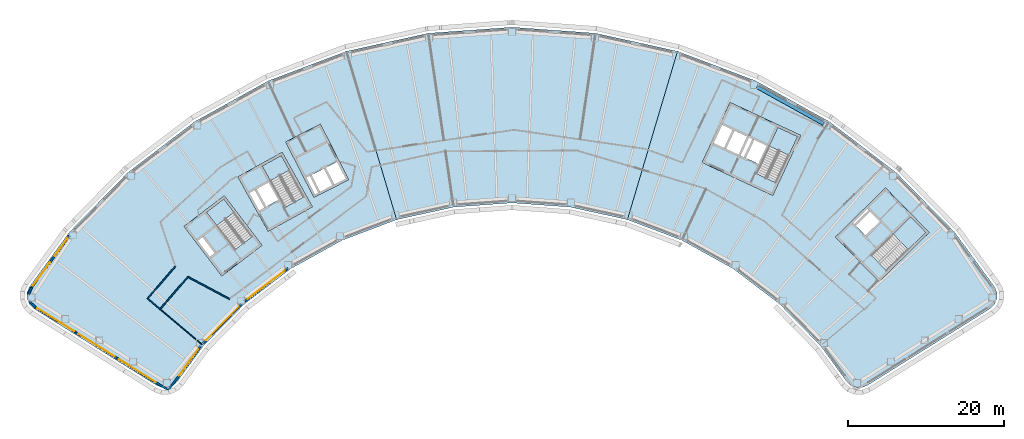
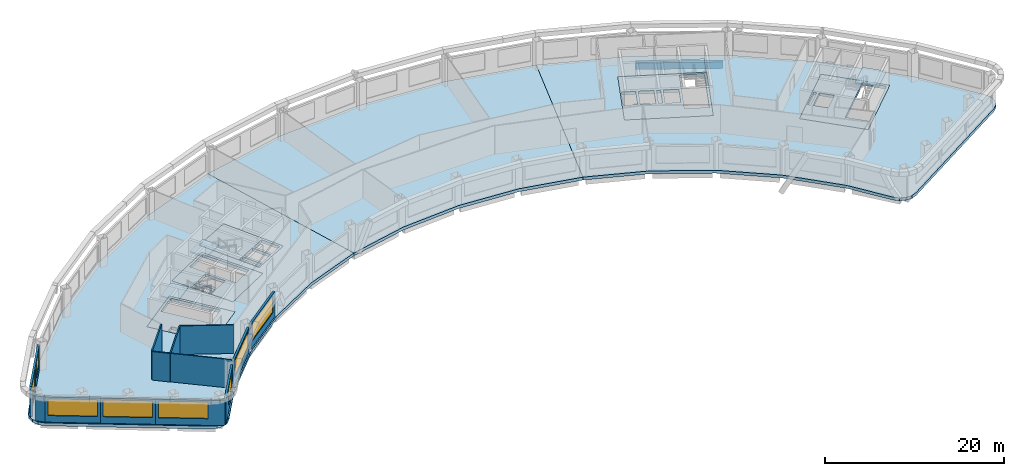
# One storey, part 4 of 12: 14 walls, 12 slabs, 8 windows, 1 beam, 8 openings, 4 elements without a shape of their own.
"""IFC4 building model written with IfcOpenShell, lengths in metres."""

import ifcopenshell
import ifcopenshell.guid

model = None  # the IFC model being written
_history = None  # IfcOwnerHistory: only IFC2X3 demands one
_inside = {}  # id of a spatial element -> (the spatial element, [elements in it])
_under = {}  # id of a project, library or spatial element -> (it, [spatial elements below it])
_declared = {}  # id of a project -> (the project, [libraries it declares])
_typed = {}  # id of a type object -> (the type object, [elements of that type])
_made_of = {}  # id of a material, layer set ... -> (it, [elements and type objects made of it])


def new_model(schema):
    """Start an empty IFC model of exactly this schema.

    Asked for "IFC4X3", IfcOpenShell would pick the latest addendum, in which some entities
    have other attributes; the version numbers below select the first issue.
    IFC2X3 requires an IfcOwnerHistory on every rooted entity: one is made here for all.
    """
    global model, _history
    if schema == "IFC4X3":
        model = ifcopenshell.file(schema_version=(4, 3, 0, 0))
    else:
        model = ifcopenshell.file(schema=schema)
    _inside.clear()
    _under.clear()
    _declared.clear()
    _typed.clear()
    _made_of.clear()
    _history = None
    if model.schema == "IFC2X3":
        org = make("IfcOrganization", Name="unknown")
        user = make(
            "IfcPersonAndOrganization",
            ThePerson=make("IfcPerson", FamilyName="unknown"),
            TheOrganization=org,
        )
        app = make(
            "IfcApplication",
            ApplicationDeveloper=org,
            Version="unknown",
            ApplicationFullName="unknown",
            ApplicationIdentifier="unknown",
        )
        _history = make(
            "IfcOwnerHistory",
            OwningUser=user,
            OwningApplication=app,
            ChangeAction="ADDED",
            CreationDate=0,
        )
    return model


def make(cls, **values):
    """One entity of the class cls with the attributes given. An attribute that is None is left unset."""
    return model.create_entity(
        cls, **{name: value for name, value in values.items() if value is not None}
    )


def rooted(cls, **values):
    """An entity with a GlobalId (a new one), such as an element, a storey or a relation."""
    return make(cls, GlobalId=ifcopenshell.guid.new(), OwnerHistory=_history, **values)


def si_unit(unit_type, name, prefix=None):
    """IfcSIUnit, for example si_unit("LENGTHUNIT", "METRE", prefix="MILLI")."""
    return make("IfcSIUnit", UnitType=unit_type, Prefix=prefix, Name=name)


def assignment(units):
    """IfcUnitAssignment: the units of a project."""
    return None if units is None else make("IfcUnitAssignment", Units=units)


def point(xyz):
    """IfcCartesianPoint."""
    return None if xyz is None else make("IfcCartesianPoint", Coordinates=xyz)


def direction(xyz):
    """IfcDirection."""
    return None if xyz is None else make("IfcDirection", DirectionRatios=xyz)


def frame(location, z_axis=None, x_axis=None):
    """IfcAxis2Placement3D, a coordinate frame: its origin and axes. An axis left out is left unset."""
    return make(
        "IfcAxis2Placement3D",
        Location=point(location),
        Axis=direction(z_axis),
        RefDirection=direction(x_axis),
    )


def frame_2d(location, x_axis=None):
    """IfcAxis2Placement2D, a coordinate frame in the plane: its origin and x axis."""
    return make(
        "IfcAxis2Placement2D", Location=point(location), RefDirection=direction(x_axis)
    )


def origin():
    """The frame at (0, 0, 0) with its axes left unset."""
    return frame((0.0, 0.0, 0.0))


def origin_2d():
    """The frame at (0, 0) in the plane with its x axis left unset."""
    return frame_2d((0.0, 0.0))


def place(relative_to, where):
    """IfcLocalPlacement: puts the frame where relative to a parent placement (None: the world)."""
    return make(
        "IfcLocalPlacement", PlacementRelTo=relative_to, RelativePlacement=where
    )


def context(
    kind, dimensions, precision=None, world=None, true_north=None, identifier=None
):
    """IfcGeometricRepresentationContext, for example the 3D "Model" context."""
    return make(
        "IfcGeometricRepresentationContext",
        ContextIdentifier=identifier,
        ContextType=kind,
        CoordinateSpaceDimension=dimensions,
        Precision=precision,
        WorldCoordinateSystem=world,
        TrueNorth=true_north,
    )


def subcontext(parent, identifier, kind, view, scale=None):
    """IfcGeometricRepresentationSubContext, for example "Body" below "Model"."""
    return make(
        "IfcGeometricRepresentationSubContext",
        ContextIdentifier=identifier,
        ContextType=kind,
        ParentContext=parent,
        TargetScale=scale,
        TargetView=view,
    )


def project(units=None, contexts=None):
    """IfcProject with its units and contexts."""
    return rooted(
        "IfcProject",
        Name="project",
        RepresentationContexts=contexts,
        UnitsInContext=assignment(units),
    )


def spatial(cls, under=None, at=None, **own):
    """A site, building, storey or space (cls), placed at a placement, below another one or the project."""
    s = rooted(cls, ObjectPlacement=at, **own)
    if under is not None:
        _under.setdefault(under.id(), (under, []))[1].append(s)
    return s


def polyline(points):
    """IfcPolyline through the points."""
    return make("IfcPolyline", Points=[point(p) for p in points])


def profile(cls, at=None, kind="AREA", **sizes):
    """A parametric profile (cls). Its sizes go by their IFC names, for example OverallWidth=200.0."""
    return make(cls, ProfileType=kind, Position=at, **sizes)


def rectangle(**sizes):
    """IfcRectangleProfileDef."""
    return profile("IfcRectangleProfileDef", **sizes)


def hollow_rectangle(**sizes):
    """IfcRectangleHollowProfileDef."""
    return profile("IfcRectangleHollowProfileDef", **sizes)


def outline(outer, holes=None, kind="AREA"):
    """IfcArbitraryClosedProfileDef: a profile drawn as a closed curve; with holes, ...WithVoids."""
    if holes is None:
        return make("IfcArbitraryClosedProfileDef", ProfileType=kind, OuterCurve=outer)
    return make(
        "IfcArbitraryProfileDefWithVoids",
        ProfileType=kind,
        OuterCurve=outer,
        InnerCurves=holes,
    )


def extrude(swept, where, along, depth):
    """IfcExtrudedAreaSolid: the profile swept, set in the frame where, extruded along a direction by depth."""
    return make(
        "IfcExtrudedAreaSolid",
        SweptArea=swept,
        Position=where,
        ExtrudedDirection=direction(along),
        Depth=depth,
    )


def shape(context_of_items, identifier, shape_type, items):
    """IfcShapeRepresentation: the items that make up one representation, for example the "Body"."""
    return make(
        "IfcShapeRepresentation",
        ContextOfItems=context_of_items,
        RepresentationIdentifier=identifier,
        RepresentationType=shape_type,
        Items=items,
    )


def material(Name=None, Category=None):
    """IfcMaterial."""
    return make("IfcMaterial", Name=Name, Category=Category)


def layer(
    of_material, thickness, ventilated=None, Name=None, Category=None, Priority=None
):
    """IfcMaterialLayer: one layer of a wall or slab, of a material (None: an air gap)."""
    return make(
        "IfcMaterialLayer",
        Material=of_material,
        LayerThickness=thickness,
        IsVentilated=ventilated,
        Name=Name,
        Category=Category,
        Priority=Priority,
    )


def layer_set(layers, Name=None):
    """IfcMaterialLayerSet."""
    return make("IfcMaterialLayerSet", MaterialLayers=layers, LayerSetName=Name)


def material_profile(
    of_material, cross_section, Name=None, Category=None, Priority=None
):
    """IfcMaterialProfile: a cross section and its material."""
    return make(
        "IfcMaterialProfile",
        Name=Name,
        Material=of_material,
        Profile=cross_section,
        Priority=Priority,
        Category=Category,
    )


def profile_set(profiles, Name=None, composite=None):
    """IfcMaterialProfileSet."""
    return make(
        "IfcMaterialProfileSet",
        Name=Name,
        MaterialProfiles=profiles,
        CompositeProfile=composite,
    )


def made_of(thing, what):
    """Note that an element or type object is made of a material, layer set ...; save() writes the relation."""
    if what is not None:
        _made_of.setdefault(what.id(), (what, []))[1].append(thing)
    return thing


def type_object(cls, material=None, **own):
    """A type object (cls), such as IfcWallType, which elements share."""
    return made_of(rooted(cls, **own), material)


def element(
    cls,
    number,
    at=None,
    inside=None,
    cuts=None,
    type_object=None,
    material=None,
    context=None,
    identifier="Body",
    shape_type=None,
    held_by="IfcProductDefinitionShape",
    body=None,
    shapes=None,
    **own,
):
    """One element of the class cls, such as IfcWall. Its Tag is "e" and its number.

    at: its placement. inside: the storey or other place that contains it. cuts: it is an
    opening in that element (IfcRelVoidsElement). A single representation is given by context,
    identifier, shape_type and body (its items); several are given by shapes. held_by: the class
    of the entity that holds the representations. save() writes the other relations.
    """
    e = rooted(cls, Tag="e%d" % number, ObjectPlacement=at, **own)
    if body is not None:
        shapes = [shape(context, identifier, shape_type, body)]
    if shapes is not None:
        e.Representation = make(held_by, Representations=shapes)
    if inside is not None:
        _inside.setdefault(inside.id(), (inside, []))[1].append(e)
    if cuts is not None:
        rooted(
            "IfcRelVoidsElement", RelatingBuildingElement=cuts, RelatedOpeningElement=e
        )
    if type_object is not None:
        _typed.setdefault(type_object.id(), (type_object, []))[1].append(e)
    return made_of(e, material)


def fill(opening, filler):
    """IfcRelFillsElement: the door or window that sits in an opening."""
    return rooted(
        "IfcRelFillsElement",
        RelatingOpeningElement=opening,
        RelatedBuildingElement=filler,
    )


def aggregate(whole, parts):
    """IfcRelAggregates: a whole, such as a stair, and the parts it consists of."""
    return rooted("IfcRelAggregates", RelatingObject=whole, RelatedObjects=parts)


def save(model, path):
    """Write the relations noted so far, then the file.

    IfcRelAggregates (storeys below a building ...), IfcRelContainedInSpatialStructure (elements
    in a storey), IfcRelDefinesByType, IfcRelAssociatesMaterial and IfcRelDeclares: one each for
    every whole, place, type object, material and project.
    """
    for whole, parts in _under.values():
        aggregate(whole, parts)
    for where, things in _inside.values():
        rooted(
            "IfcRelContainedInSpatialStructure",
            RelatedElements=things,
            RelatingStructure=where,
        )
    for kind, things in _typed.values():
        rooted("IfcRelDefinesByType", RelatedObjects=things, RelatingType=kind)
    for what, things in _made_of.values():
        rooted("IfcRelAssociatesMaterial", RelatedObjects=things, RelatingMaterial=what)
    for by, libraries in _declared.values():
        rooted("IfcRelDeclares", RelatingContext=by, RelatedDefinitions=libraries)
    model.write(path)


model = new_model("IFC4")

# Units and contexts
model_context = context("Model", 3, precision=1e-05, world=origin(), true_north=direction((0.0, 1.0)))
body_context = subcontext(model_context, "Body", "Model", "MODEL_VIEW")
ifc_project = project(units=[si_unit("LENGTHUNIT", "METRE"), si_unit("AREAUNIT", "SQUARE_METRE"), si_unit("VOLUMEUNIT", "CUBIC_METRE"), si_unit("PLANEANGLEUNIT", "RADIAN"), si_unit("MASSUNIT", "GRAM", prefix="KILO")], contexts=[model_context])

# Site, building, storey
site_placement = place(None, origin())
site = spatial("IfcSite", under=ifc_project, at=site_placement, CompositionType="ELEMENT")
building_placement = place(site_placement, origin())
building = spatial("IfcBuilding", under=site, at=building_placement, Name="Tuul Gate Civic Tower", CompositionType="ELEMENT")
storey_placement = place(building_placement, frame((0.0, 0.0, 176.300048828125)))
storey = spatial("IfcBuildingStorey", under=building, at=storey_placement, Name="Level 40", CompositionType="ELEMENT", Elevation=176.300048828125)

# Beam
ifc_material_1 = material(Name="Steel S355", Category="steel")
ifc_material_profile = material_profile(ifc_material_1, hollow_rectangle(XDim=0.449951171875, YDim=0.89990234375, WallThickness=0.02490234375, at=origin_2d()), Name="BOX900x450x25")
ifc_profile_set = profile_set([ifc_material_profile], Name="Steel S355")
beam_type = type_object("IfcBeamType", Name="STR-SPANDREL BEAM-BOX900x450x25", PredefinedType="BEAM", material=ifc_profile_set)
beam_placement = place(storey_placement, frame((40.99853515625, 1.811279296875, -0.85009765625), z_axis=(-0.874595083596, 0.484854039634, 0.0), x_axis=(-0.484854039634, -0.874595083596, 0.0)))
element("IfcBeam", 1, at=beam_placement, inside=storey, type_object=beam_type, Name="Spandrel beam", PredefinedType="BEAM", context=body_context, shape_type="SweptSolid", body=[
    extrude(hollow_rectangle(XDim=0.449951171875, YDim=0.89990234375, WallThickness=0.02490234375, at=origin_2d()), origin(), (0.0, 0.0, 1.0), 9.777099609375),
])

# Slabs
ifc_material_2 = material(Name="Concrete C40/50", Category="concrete")
ifc_layer_1 = layer(ifc_material_2, 0.39990234375)
ifc_layer_set_1 = layer_set([ifc_layer_1], Name="Concrete C40/50")
slab_type_1 = type_object("IfcSlabType", Name="Core floor slab 400", PredefinedType="FLOOR", material=ifc_layer_set_1)
slab_1_placement = place(storey_placement, frame((0.0, 0.0, -0.400146484375)))
element("IfcSlab", 2, at=slab_1_placement, inside=storey, type_object=slab_type_1, Name="FLOOR SLAB", PredefinedType="FLOOR", context=body_context, shape_type="SweptSolid", body=[
    extrude(outline(polyline([(-31.10009765625, -13.7890625), (-35.946044921875, -7.423828125), (-41.11767578125, -11.361572265625), (-36.271484375, -17.726806640625), (-31.10009765625, -13.7890625)]), holes=[polyline([(-37.19287109375, -14.783203125), (-38.737548828125, -12.75439453125), (-39.45361328125, -13.299560546875), (-37.908935546875, -15.328369140625), (-37.19287109375, -14.783203125)]), polyline([(-32.33935546875, -12.65771484375), (-34.56591796875, -14.352783203125), (-38.229736328125, -9.54052734375), (-36.003173828125, -7.845458984375), (-32.33935546875, -12.65771484375)])]), origin(), (0.0, 0.0, 1.0), 0.400146484375),
])
slab_2_placement = place(storey_placement, frame((0.0, 0.0, -0.400146484375)))
element("IfcSlab", 3, at=slab_2_placement, inside=storey, type_object=slab_type_1, Name="FLOOR SLAB", PredefinedType="FLOOR", context=body_context, shape_type="SweptSolid", body=[
    extrude(outline(polyline([(-24.638916015625, -8.846923828125), (-28.51708984375, -1.849853515625), (-34.2021484375, -5.0009765625), (-30.32421875, -11.998046875), (-24.638916015625, -8.846923828125)]), holes=[polyline([(-29.0185546875, -7.958740234375), (-30.254638671875, -5.728515625), (-31.785400390625, -6.576904296875), (-30.54931640625, -8.80712890625), (-29.0185546875, -7.958740234375)]), polyline([(-30.8115234375, -8.95263671875), (-32.047607421875, -6.72216796875), (-32.8349609375, -7.158447265625), (-31.5986328125, -9.388916015625), (-30.8115234375, -8.95263671875)]), polyline([(-25.702392578125, -7.548828125), (-28.14990234375, -8.905517578125), (-31.08203125, -3.615234375), (-28.63427734375, -2.2587890625), (-25.702392578125, -7.548828125)])]), origin(), (0.0, 0.0, 1.0), 0.400146484375),
])
slab_3_placement = place(storey_placement, frame((0.0, 0.0, -0.400146484375)))
element("IfcSlab", 4, at=slab_3_placement, inside=storey, type_object=slab_type_1, Name="FLOOR SLAB", PredefinedType="FLOOR", context=body_context, shape_type="SweptSolid", body=[
    extrude(outline(polyline([(48.117919921875, -18.43310546875), (54.545166015625, -12.1328125), (48.945068359375, -6.419921875), (42.517822265625, -12.719970703125), (48.117919921875, -18.43310546875)]), holes=[polyline([(46.373779296875, -12.510986328125), (48.19482421875, -10.725830078125), (46.969970703125, -9.47607421875), (45.14892578125, -11.26123046875), (46.373779296875, -12.510986328125)]), polyline([(44.93896484375, -11.046875), (46.760009765625, -9.261962890625), (46.514892578125, -9.011962890625), (44.69384765625, -10.797119140625), (44.93896484375, -11.046875)]), polyline([(49.086181640625, -17.062744140625), (47.12744140625, -15.064208984375), (52.160888671875, -10.130126953125), (54.11962890625, -12.128662109375), (49.086181640625, -17.062744140625)])]), origin(), (0.0, 0.0, 1.0), 0.400146484375),
])
slab_4_placement = place(storey_placement, frame((0.0, 0.0, -0.400146484375)))
element("IfcSlab", 5, at=slab_4_placement, inside=storey, type_object=slab_type_1, Name="FLOOR SLAB", PredefinedType="FLOOR", context=body_context, shape_type="SweptSolid", body=[
    extrude(outline(polyline([(34.465087890625, -7.385986328125), (38.056884765625, 0.31787109375), (28.993896484375, 4.543701171875), (25.40185546875, -3.159912109375), (34.465087890625, -7.385986328125)]), holes=[polyline([(32.60888671875, -3.32080078125), (33.6865234375, -1.009765625), (32.1005859375, -0.27001953125), (31.02294921875, -2.581298828125), (32.60888671875, -3.32080078125)]), polyline([(30.0712890625, -2.137451171875), (31.14892578125, 0.173583984375), (29.562744140625, 0.9130859375), (28.4853515625, -1.39794921875), (30.0712890625, -2.137451171875)]), polyline([(30.751220703125, -2.454345703125), (31.82861328125, -0.143310546875), (31.4208984375, 0.046875), (30.34326171875, -2.264404296875), (30.751220703125, -2.454345703125)]), polyline([(28.21337890625, -1.27099609375), (29.291015625, 1.0400390625), (27.8408203125, 1.71630859375), (26.76318359375, -0.594970703125), (28.21337890625, -1.27099609375)]), polyline([(34.889892578125, -5.7626953125), (32.353759765625, -4.580078125), (35.120849609375, 1.354736328125), (37.6572265625, 0.17236328125), (34.889892578125, -5.7626953125)])]), origin(), (0.0, 0.0, 1.0), 0.400146484375),
])
ifc_material_3 = material(Name="Concrete C40/50", Category="concrete")
ifc_layer_2 = layer(ifc_material_3, 0.39990234375)
ifc_layer_set_2 = layer_set([ifc_layer_2], Name="Concrete C40/50")
slab_type_2 = type_object("IfcSlabType", Name="Core floor slab 400 non-bearing", PredefinedType="FLOOR", material=ifc_layer_set_2)
slab_5_placement = place(storey_placement, frame((0.0, 0.0, -0.400146484375)))
element("IfcSlab", 6, at=slab_5_placement, inside=storey, type_object=slab_type_2, Name="FLOOR SLAB", PredefinedType="FLOOR", context=body_context, shape_type="SweptSolid", body=[
    extrude(outline(polyline([(-19.98095703125, -5.365966796875), (-23.613037109375, 1.761962890625), (-28.068115234375, -0.508056640625), (-24.43603515625, -7.635986328125), (-19.98095703125, -5.365966796875)]), holes=[polyline([(-20.384521484375, -5.23486328125), (-21.47412109375, -3.096435546875), (-22.899658203125, -3.822998046875), (-21.81005859375, -5.961181640625), (-20.384521484375, -5.23486328125)]), polyline([(-22.077392578125, -6.097412109375), (-23.1669921875, -3.958984375), (-24.726318359375, -4.753662109375), (-23.63671875, -6.89208984375), (-22.077392578125, -6.097412109375)]), polyline([(-23.8359375, -7.161865234375), (-24.99365234375, -4.889892578125), (-25.5283203125, -5.162109375), (-24.37060546875, -7.434326171875), (-23.8359375, -7.161865234375)])]), origin(), (0.0, 0.0, 1.0), 0.400146484375),
])

# Stair, slab
ifc_material_4 = material(Name="Concrete C40/50", Category="concrete")
stair_type = type_object("IfcStairType", Name="Exit stair", PredefinedType="HALF_TURN_STAIR", material=ifc_material_4)
stair_1_placement = place(storey_placement, origin())
stair_1 = element("IfcStair", 7, at=stair_1_placement, inside=storey, type_object=stair_type, Name="Level 40 ST-1", PredefinedType="HALF_TURN_STAIR")
ifc_material_5 = material(Name="Concrete C40/50", Category="concrete")
ifc_layer_3 = layer(ifc_material_5, 0.199951171875)
ifc_layer_set_3 = layer_set([ifc_layer_3], Name="Concrete C40/50")
slab_type_3 = type_object("IfcSlabType", Name="Exit stair landing", PredefinedType="LANDING", material=ifc_layer_set_3)
slab_6_placement = place(storey_placement, frame((0.0, 0.0, 1.89990234375)))
slab_6 = element("IfcSlab", 8, at=slab_6_placement, type_object=slab_type_3, Name="ST-1 landing 1", PredefinedType="LANDING", context=body_context, shape_type="SweptSolid", body=[
    extrude(outline(polyline([(-34.699462890625, -9.554931640625), (-36.9287109375, -11.252197265625), (-38.23193359375, -9.540283203125), (-36.0029296875, -7.843017578125), (-34.699462890625, -9.554931640625)])), origin(), (0.0, 0.0, 1.0), 0.199951171875),
])
aggregate(stair_1, [slab_6])

stair_2_placement = place(storey_placement, origin())
stair_2 = element("IfcStair", 9, at=stair_2_placement, inside=storey, type_object=stair_type, Name="Level 40 ST-2", PredefinedType="HALF_TURN_STAIR")
slab_7_placement = place(storey_placement, frame((0.0, 0.0, 1.89990234375)))
slab_7 = element("IfcSlab", 10, at=slab_7_placement, type_object=slab_type_3, Name="ST-2 landing 1", PredefinedType="LANDING", context=body_context, shape_type="SweptSolid", body=[
    extrude(outline(polyline([(-27.5908203125, -4.138427734375), (-30.041015625, -5.49658203125), (-31.084228515625, -3.61474609375), (-28.6337890625, -2.256591796875), (-27.5908203125, -4.138427734375)])), origin(), (0.0, 0.0, 1.0), 0.199951171875),
])
aggregate(stair_2, [slab_7])

stair_3_placement = place(storey_placement, origin())
stair_3 = element("IfcStair", 11, at=stair_3_placement, inside=storey, type_object=stair_type, Name="Level 40 ST-3", PredefinedType="HALF_TURN_STAIR")
slab_8_placement = place(storey_placement, frame((0.0, 0.0, 1.89990234375)))
slab_8 = element("IfcSlab", 12, at=slab_8_placement, type_object=slab_type_3, Name="ST-3 landing 1", PredefinedType="LANDING", context=body_context, shape_type="SweptSolid", body=[
    extrude(outline(polyline([(51.871337890625, -14.3349609375), (49.91015625, -12.334228515625), (52.160888671875, -10.1279296875), (54.1220703125, -12.128662109375), (51.871337890625, -14.3349609375)])), origin(), (0.0, 0.0, 1.0), 0.199951171875),
])
aggregate(stair_3, [slab_8])

stair_4_placement = place(storey_placement, origin())
stair_4 = element("IfcStair", 13, at=stair_4_placement, inside=storey, type_object=stair_type, Name="Level 40 ST-4", PredefinedType="HALF_TURN_STAIR")
slab_9_placement = place(storey_placement, frame((0.0, 0.0, 1.89990234375)))
slab_9 = element("IfcSlab", 14, at=slab_9_placement, type_object=slab_type_3, Name="ST-4 landing 1", PredefinedType="LANDING", context=body_context, shape_type="SweptSolid", body=[
    extrude(outline(polyline([(36.538818359375, -2.230224609375), (33.999755859375, -1.046142578125), (35.1201171875, 1.35693359375), (37.659423828125, 0.173095703125), (36.538818359375, -2.230224609375)])), origin(), (0.0, 0.0, 1.0), 0.199951171875),
])
aggregate(stair_4, [slab_9])

# Slabs
ifc_material_6 = material(Name="Concrete C35/45", Category="concrete")
ifc_layer_4 = layer(ifc_material_6, 0.39990234375)
ifc_layer_set_4 = layer_set([ifc_layer_4], Name="Concrete C35/45")
slab_type_4 = type_object("IfcSlabType", Name="STR-FLOOR-SLAB-400", PredefinedType="FLOOR", material=ifc_layer_set_4)
slab_10_placement = place(storey_placement, frame((0.0, 0.0, -0.400146484375)))
element("IfcSlab", 15, at=slab_10_placement, inside=storey, type_object=slab_type_4, Name="Level 40/slab/W", PredefinedType="FLOOR", context=body_context, shape_type="SweptSolid", body=[
    extrude(outline(polyline([(-20.843994140625, -13.154052734375), (-13.823974609375, -10.4990234375), (-20.258056640625, 11.123046875), (-30.326904296875, 7.31494140625), (-39.740966796875, 2.096923828125), (-48.305908203125, -4.424072265625), (-55.841064453125, -12.111083984375), (-60.922119140625, -19.06689453125), (-61.258056640625, -19.81103515625), (-61.27001953125, -20.6259765625), (-60.955078125, -21.37890625), (-60.365966796875, -21.943115234375), (-44.635986328125, -31.77197265625), (-43.94189453125, -32.04296875), (-43.197021484375, -32.0400390625), (-42.5048828125, -31.764892578125), (-41.9609375, -31.256103515625), (-38.632080078125, -26.697998046875), (-33.37890625, -21.337890625), (-27.407958984375, -16.7919921875), (-20.843994140625, -13.154052734375)]), holes=[polyline([(-31.10009765625, -13.7890625), (-36.27197265625, -17.72705078125), (-41.117919921875, -11.362060546875), (-35.946044921875, -7.424072265625), (-31.10009765625, -13.7890625)]), polyline([(-24.638916015625, -8.846923828125), (-30.323974609375, -11.998046875), (-34.201904296875, -5.0009765625), (-28.51708984375, -1.85009765625), (-24.638916015625, -8.846923828125)]), polyline([(-24.43603515625, -7.635986328125), (-28.068115234375, -0.508056640625), (-23.613037109375, 1.761962890625), (-19.98095703125, -5.365966796875), (-24.43603515625, -7.635986328125)])]), origin(), (0.0, 0.0, 1.0), 0.400146484375),
])
slab_11_placement = place(storey_placement, frame((0.0, 0.0, -0.400146484375)))
element("IfcSlab", 16, at=slab_11_placement, inside=storey, type_object=slab_type_4, Name="Level 40/slab/M", PredefinedType="FLOOR", context=body_context, shape_type="SweptSolid", body=[
    extrude(outline(polyline([(15.803955078125, -10.4990234375), (22.238037109375, 11.123046875), (11.72607421875, 13.43994140625), (0.989990234375, 14.217041015625), (-9.74609375, 13.43994140625), (-20.258056640625, 11.123046875), (-13.823974609375, -10.4990234375), (-6.4951171875, -8.884033203125), (0.989990234375, -8.342041015625), (8.47509765625, -8.884033203125), (15.803955078125, -10.4990234375)])), origin(), (0.0, 0.0, 1.0), 0.400146484375),
])
slab_12_placement = place(storey_placement, frame((0.0, 0.0, -0.400146484375)))
element("IfcSlab", 17, at=slab_12_placement, inside=storey, type_object=slab_type_4, Name="Level 40/slab/E", PredefinedType="FLOOR", context=body_context, shape_type="SweptSolid", body=[
    extrude(outline(polyline([(45.922119140625, -32.04296875), (46.615966796875, -31.77197265625), (62.345947265625, -21.943115234375), (62.93505859375, -21.37890625), (63.25, -20.6259765625), (63.238037109375, -19.81103515625), (62.90087890625, -19.06689453125), (57.821044921875, -12.111083984375), (50.284912109375, -4.424072265625), (41.720947265625, 2.096923828125), (32.306884765625, 7.31494140625), (22.238037109375, 11.123046875), (15.803955078125, -10.4990234375), (22.823974609375, -13.154052734375), (29.387939453125, -16.7919921875), (35.35888671875, -21.337890625), (40.612060546875, -26.697998046875), (43.94091796875, -31.256103515625), (44.485107421875, -31.764892578125), (45.177001953125, -32.0400390625), (45.922119140625, -32.04296875)]), holes=[polyline([(48.117919921875, -18.43310546875), (42.51806640625, -12.719970703125), (48.945068359375, -6.419921875), (54.544921875, -12.133056640625), (48.117919921875, -18.43310546875)]), polyline([(25.402099609375, -3.159912109375), (28.993896484375, 4.5439453125), (38.056884765625, 0.318115234375), (34.465087890625, -7.385986328125), (25.402099609375, -3.159912109375)])]), origin(), (0.0, 0.0, 1.0), 0.400146484375),
])

# Walls
ifc_material_7 = material(Name="Gypsum board partition")
ifc_layer_5 = layer(ifc_material_7, 0.14990234375)
ifc_layer_set_5 = layer_set([ifc_layer_5], Name="Gypsum board partition")
wall_type_1 = type_object("IfcWallType", Name="Corridor wall P150", PredefinedType="PARTITIONING", material=ifc_layer_set_5)
wall_1_placement = place(storey_placement, frame((-45.793212890625, -20.61328125, 0.0), z_axis=(0.0, 0.0, 1.0), x_axis=(0.654802416292, 0.755800102949, 0.0)))
element("IfcWall", 18, at=wall_1_placement, inside=storey, type_object=wall_type_1, Name="p035", PredefinedType="PARTITIONING", context=body_context, shape_type="SweptSolid", body=[
    extrude(rectangle(XDim=5.44140625, YDim=0.14990234375, at=frame_2d((2.720703125, 0.0))), origin(), (0.0, 0.0, 1.0), 3.89990234375),
])
wall_2_placement = place(storey_placement, frame((-45.793212890625, -20.61328125, 0.0), z_axis=(0.0, 0.0, 1.0), x_axis=(0.755865497588, -0.654726927471, 0.0)))
element("IfcWall", 19, at=wall_2_placement, inside=storey, type_object=wall_type_1, Name="p036", PredefinedType="PARTITIONING", context=body_context, shape_type="SweptSolid", body=[
    extrude(rectangle(XDim=2.10009765625, YDim=0.14990234375, at=frame_2d((1.050048828125, 0.0))), origin(), (0.0, 0.0, 1.0), 3.89990234375),
])
wall_3_placement = place(storey_placement, frame((-44.205810546875, -21.98828125, 0.0), z_axis=(0.0, 0.0, 1.0), x_axis=(0.65476751937, 0.755830335179, 0.0)))
element("IfcWall", 20, at=wall_3_placement, inside=storey, type_object=wall_type_1, Name="p037", PredefinedType="PARTITIONING", context=body_context, shape_type="SweptSolid", body=[
    extrude(rectangle(XDim=5.47412109375, YDim=0.14990234375, at=frame_2d((2.737060546875, 0.0))), origin(), (0.0, 0.0, 1.0), 3.89990234375),
])
wall_4_placement = place(storey_placement, frame((-40.599365234375, -17.84912109375, 0.0), z_axis=(0.0, 0.0, 1.0), x_axis=(0.881733546636, -0.471747763891, 0.0)))
element("IfcWall", 21, at=wall_4_placement, inside=storey, type_object=wall_type_1, Name="p043", PredefinedType="PARTITIONING", context=body_context, shape_type="SweptSolid", body=[
    extrude(rectangle(XDim=6.008544921875, YDim=0.14990234375, at=frame_2d((3.00439453125, 0.0))), origin(), (0.0, 0.0, 1.0), 3.89990234375),
])

# Wall, openings, windows
ifc_material_8 = material(Name="Precast concrete C40/50", Category="concrete")
ifc_layer_6 = layer(ifc_material_8, 0.25)
ifc_layer_set_6 = layer_set([ifc_layer_6], Name="Precast concrete C40/50")
wall_type_2 = type_object("IfcWallType", Name="External wall", PredefinedType="STANDARD", material=ifc_layer_set_6)
wall_5_placement = place(storey_placement, frame((-55.83203125, -12.565185546875, 0.0), z_axis=(0.0, 0.0, 1.0), x_axis=(-0.589755466838, -0.80758187779, 0.0)))
wall_5 = element("IfcWall", 22, at=wall_5_placement, inside=storey, type_object=wall_type_2, Name="External wall", PredefinedType="STANDARD", context=body_context, shape_type="SweptSolid", body=[
    extrude(rectangle(XDim=8.25244140625, YDim=0.25, at=frame_2d((4.126220703125, 0.0))), origin(), (0.0, 0.0, 1.0), 3.449951171875),
])
opening_1_placement = place(wall_5_placement, frame((0.39990234375, 0.0, 0.89990234375)))
opening_1 = element("IfcOpeningElement", 23, at=opening_1_placement, cuts=wall_5, Name="Opening W23", PredefinedType="OPENING", context=body_context, shape_type="SweptSolid", body=[
    extrude(rectangle(XDim=2.800048828125, YDim=2.300048828125, at=frame_2d((1.39990234375, 1.14990234375))), frame((0.0, 0.135009765625, 0.0), z_axis=(0.0, -1.0, 0.0), x_axis=(1.0, 0.0, 0.0)), (0.0, 0.0, 1.0), 0.27001953125),
])
opening_2_placement = place(wall_5_placement, frame((4.251708984375, 0.0, 0.89990234375)))
opening_2 = element("IfcOpeningElement", 24, at=opening_2_placement, cuts=wall_5, Name="Opening W21", PredefinedType="OPENING", context=body_context, shape_type="SweptSolid", body=[
    extrude(rectangle(XDim=3.699951171875, YDim=2.300048828125, at=frame_2d((1.85009765625, 1.14990234375))), frame((0.0, 0.135009765625, 0.0), z_axis=(0.0, -1.0, 0.0), x_axis=(1.0, 0.0, 0.0)), (0.0, 0.0, 1.0), 0.27001953125),
])
ifc_material_9 = material(Name="Glass", Category="glass")
window_type_1 = type_object("IfcWindowType", Name="Window W21 3700 x 2300", PartitioningType="SINGLE_PANEL", PredefinedType="WINDOW", material=ifc_material_9)
window_1_placement = place(opening_2_placement, origin())
window_1 = element("IfcWindow", 25, at=window_1_placement, inside=storey, type_object=window_type_1, Name="Window", OverallHeight=2.300048828125, OverallWidth=3.699951171875, PartitioningType="SINGLE_PANEL", PredefinedType="WINDOW", context=body_context, shape_type="SweptSolid", body=[
    extrude(rectangle(XDim=3.699951171875, YDim=2.300048828125, at=frame_2d((1.85009765625, 1.14990234375))), frame((0.0, 0.030029296875, 0.0), z_axis=(0.0, -1.0, 0.0), x_axis=(1.0, 0.0, 0.0)), (0.0, 0.0, 1.0), 0.06005859375),
])
fill(opening_2, window_1)
ifc_material_10 = material(Name="Glass", Category="glass")
window_type_2 = type_object("IfcWindowType", Name="Window W23 2800 x 2300", PartitioningType="SINGLE_PANEL", PredefinedType="WINDOW", material=ifc_material_10)
window_2_placement = place(opening_1_placement, origin())
window_2 = element("IfcWindow", 26, at=window_2_placement, inside=storey, type_object=window_type_2, Name="Window", OverallHeight=2.300048828125, OverallWidth=2.800048828125, PartitioningType="SINGLE_PANEL", PredefinedType="WINDOW", context=body_context, shape_type="SweptSolid", body=[
    extrude(rectangle(XDim=2.800048828125, YDim=2.300048828125, at=frame_2d((1.39990234375, 1.14990234375))), frame((0.0, 0.030029296875, 0.0), z_axis=(0.0, -1.0, 0.0), x_axis=(1.0, 0.0, 0.0)), (0.0, 0.0, 1.0), 0.06005859375),
])
fill(opening_1, window_2)

# Walls
wall_6_placement = place(storey_placement, frame((-60.686279296875, -19.207763671875, 0.0), z_axis=(0.0, 0.0, 1.0), x_axis=(-0.413528765966, -0.910491054167, 0.0)))
element("IfcWall", 27, at=wall_6_placement, inside=storey, type_object=wall_type_2, Name="External wall", PredefinedType="STANDARD", context=body_context, shape_type="SweptSolid", body=[
    extrude(rectangle(XDim=0.939208984375, YDim=0.25, at=frame_2d((0.4697265625, 0.0))), origin(), (0.0, 0.0, 1.0), 3.449951171875),
])
wall_7_placement = place(storey_placement, frame((-60.996826171875, -20.962890625, 0.0), z_axis=(0.0, 0.0, 1.0), x_axis=(0.722107994372, -0.691780344087, 0.0)))
element("IfcWall", 28, at=wall_7_placement, inside=storey, type_object=wall_type_2, Name="External wall", PredefinedType="STANDARD", context=body_context, shape_type="SweptSolid", body=[
    extrude(rectangle(XDim=1.102783203125, YDim=0.25, at=frame_2d((0.55126953125, 0.0))), origin(), (0.0, 0.0, 1.0), 3.449951171875),
])

# Wall, opening, window
wall_8_placement = place(storey_placement, frame((-60.220703125, -21.7099609375, 0.0), z_axis=(0.0, 0.0, 1.0), x_axis=(0.848042669488, -0.529927948619, 0.0)))
wall_8 = element("IfcWall", 29, at=wall_8_placement, inside=storey, type_object=wall_type_2, Name="External wall", PredefinedType="STANDARD", context=body_context, shape_type="SweptSolid", body=[
    extrude(rectangle(XDim=6.1826171875, YDim=0.25, at=frame_2d((3.09130859375, 0.0))), origin(), (0.0, 0.0, 1.0), 3.449951171875),
])
opening_3_placement = place(wall_8_placement, frame((0.31640625, 0.0, 0.89990234375)))
opening_3 = element("IfcOpeningElement", 30, at=opening_3_placement, cuts=wall_8, Name="Opening W24", PredefinedType="OPENING", context=body_context, shape_type="SweptSolid", body=[
    extrude(rectangle(XDim=5.550048828125, YDim=2.300048828125, at=frame_2d((2.77490234375, 1.14990234375))), frame((0.0, 0.135009765625, 0.0), z_axis=(0.0, -1.0, 0.0), x_axis=(1.0, 0.0, 0.0)), (0.0, 0.0, 1.0), 0.27001953125),
])
ifc_material_11 = material(Name="Glass", Category="glass")
window_type_3 = type_object("IfcWindowType", Name="Window W24 5550 x 2300", PartitioningType="SINGLE_PANEL", PredefinedType="WINDOW", material=ifc_material_11)
window_3_placement = place(opening_3_placement, origin())
window_3 = element("IfcWindow", 31, at=window_3_placement, inside=storey, type_object=window_type_3, Name="Window", OverallHeight=2.300048828125, OverallWidth=5.550048828125, PartitioningType="SINGLE_PANEL", PredefinedType="WINDOW", context=body_context, shape_type="SweptSolid", body=[
    extrude(rectangle(XDim=5.550048828125, YDim=2.300048828125, at=frame_2d((2.77490234375, 1.14990234375))), frame((0.0, 0.030029296875, 0.0), z_axis=(0.0, -1.0, 0.0), x_axis=(1.0, 0.0, 0.0)), (0.0, 0.0, 1.0), 0.06005859375),
])
fill(opening_3, window_3)

wall_9_placement = place(storey_placement, frame((-54.9775390625, -24.986328125, 0.0), z_axis=(0.0, 0.0, 1.0), x_axis=(0.848053758074, -0.529910203164, 0.0)))
wall_9 = element("IfcWall", 32, at=wall_9_placement, inside=storey, type_object=wall_type_2, Name="External wall", PredefinedType="STANDARD", context=body_context, shape_type="SweptSolid", body=[
    extrude(rectangle(XDim=6.182861328125, YDim=0.25, at=frame_2d((3.09130859375, 0.0))), origin(), (0.0, 0.0, 1.0), 3.449951171875),
])
opening_4_placement = place(wall_9_placement, frame((0.31640625, 0.0, 0.89990234375)))
opening_4 = element("IfcOpeningElement", 33, at=opening_4_placement, cuts=wall_9, Name="Opening W24", PredefinedType="OPENING", context=body_context, shape_type="SweptSolid", body=[
    extrude(rectangle(XDim=5.550048828125, YDim=2.300048828125, at=frame_2d((2.77490234375, 1.14990234375))), frame((0.0, 0.135009765625, 0.0), z_axis=(0.0, -1.0, 0.0), x_axis=(1.0, 0.0, 0.0)), (0.0, 0.0, 1.0), 0.27001953125),
])
window_4_placement = place(opening_4_placement, origin())
window_4 = element("IfcWindow", 34, at=window_4_placement, inside=storey, type_object=window_type_3, Name="Window", OverallHeight=2.300048828125, OverallWidth=5.550048828125, PartitioningType="SINGLE_PANEL", PredefinedType="WINDOW", context=body_context, shape_type="SweptSolid", body=[
    extrude(rectangle(XDim=5.550048828125, YDim=2.300048828125, at=frame_2d((2.77490234375, 1.14990234375))), frame((0.0, 0.030029296875, 0.0), z_axis=(0.0, -1.0, 0.0), x_axis=(1.0, 0.0, 0.0)), (0.0, 0.0, 1.0), 0.06005859375),
])
fill(opening_4, window_4)

wall_10_placement = place(storey_placement, frame((-49.734130859375, -28.2626953125, 0.0), z_axis=(0.0, 0.0, 1.0), x_axis=(0.848047613046, -0.52992003737, 0.0)))
wall_10 = element("IfcWall", 35, at=wall_10_placement, inside=storey, type_object=wall_type_2, Name="External wall", PredefinedType="STANDARD", context=body_context, shape_type="SweptSolid", body=[
    extrude(rectangle(XDim=7.787841796875, YDim=0.25, at=frame_2d((3.89404296875, 0.0))), origin(), (0.0, 0.0, 1.0), 3.449951171875),
])
opening_5_placement = place(wall_10_placement, frame((0.31640625, 0.0, 0.89990234375)))
opening_5 = element("IfcOpeningElement", 36, at=opening_5_placement, cuts=wall_10, Name="Opening W24", PredefinedType="OPENING", context=body_context, shape_type="SweptSolid", body=[
    extrude(rectangle(XDim=5.550048828125, YDim=2.300048828125, at=frame_2d((2.77490234375, 1.14990234375))), frame((0.0, 0.135009765625, 0.0), z_axis=(0.0, -1.0, 0.0), x_axis=(1.0, 0.0, 0.0)), (0.0, 0.0, 1.0), 0.27001953125),
])
window_5_placement = place(opening_5_placement, origin())
window_5 = element("IfcWindow", 37, at=window_5_placement, inside=storey, type_object=window_type_3, Name="Window", OverallHeight=2.300048828125, OverallWidth=5.550048828125, PartitioningType="SINGLE_PANEL", PredefinedType="WINDOW", context=body_context, shape_type="SweptSolid", body=[
    extrude(rectangle(XDim=5.550048828125, YDim=2.300048828125, at=frame_2d((2.77490234375, 1.14990234375))), frame((0.0, 0.030029296875, 0.0), z_axis=(0.0, -1.0, 0.0), x_axis=(1.0, 0.0, 0.0)), (0.0, 0.0, 1.0), 0.06005859375),
])
fill(opening_5, window_5)

wall_11_placement = place(storey_placement, frame((-43.129638671875, -32.3896484375, 0.0), z_axis=(0.0, 0.0, 1.0), x_axis=(0.589748783254, 0.807586758591, 0.0)))
wall_11 = element("IfcWall", 38, at=wall_11_placement, inside=storey, type_object=wall_type_2, Name="External wall", PredefinedType="STANDARD", context=body_context, shape_type="SweptSolid", body=[
    extrude(rectangle(XDim=6.97216796875, YDim=0.25, at=frame_2d((3.486083984375, 0.0))), origin(), (0.0, 0.0, 1.0), 3.449951171875),
])
opening_6_placement = place(wall_11_placement, frame((2.357666015625, 0.0, 0.89990234375)))
opening_6 = element("IfcOpeningElement", 39, at=opening_6_placement, cuts=wall_11, Name="Opening W25", PredefinedType="OPENING", context=body_context, shape_type="SweptSolid", body=[
    extrude(rectangle(XDim=4.14990234375, YDim=2.300048828125, at=frame_2d((2.074951171875, 1.14990234375))), frame((0.0, 0.135009765625, 0.0), z_axis=(0.0, -1.0, 0.0), x_axis=(1.0, 0.0, 0.0)), (0.0, 0.0, 1.0), 0.27001953125),
])
ifc_material_12 = material(Name="Glass", Category="glass")
window_type_4 = type_object("IfcWindowType", Name="Window W25 4150 x 2300", PartitioningType="SINGLE_PANEL", PredefinedType="WINDOW", material=ifc_material_12)
window_6_placement = place(opening_6_placement, origin())
window_6 = element("IfcWindow", 40, at=window_6_placement, inside=storey, type_object=window_type_4, Name="Window", OverallHeight=2.300048828125, OverallWidth=4.14990234375, PartitioningType="SINGLE_PANEL", PredefinedType="WINDOW", context=body_context, shape_type="SweptSolid", body=[
    extrude(rectangle(XDim=4.14990234375, YDim=2.300048828125, at=frame_2d((2.074951171875, 1.14990234375))), frame((0.0, 0.030029296875, 0.0), z_axis=(0.0, -1.0, 0.0), x_axis=(1.0, 0.0, 0.0)), (0.0, 0.0, 1.0), 0.06005859375),
])
fill(opening_6, window_6)

wall_12_placement = place(storey_placement, frame((-38.64111328125, -26.313232421875, 0.0), z_axis=(0.0, 0.0, 1.0), x_axis=(0.700101181113, 0.71404365147, 0.0)))
wall_12 = element("IfcWall", 41, at=wall_12_placement, inside=storey, type_object=wall_type_2, Name="External wall", PredefinedType="STANDARD", context=body_context, shape_type="SweptSolid", body=[
    extrude(rectangle(XDim=6.96923828125, YDim=0.25, at=frame_2d((3.484619140625, 0.0))), origin(), (0.0, 0.0, 1.0), 3.449951171875),
])
opening_7_placement = place(wall_12_placement, frame((0.484130859375, 0.0, 0.89990234375)))
opening_7 = element("IfcOpeningElement", 42, at=opening_7_placement, cuts=wall_12, Name="Opening W26", PredefinedType="OPENING", context=body_context, shape_type="SweptSolid", body=[
    extrude(rectangle(XDim=6.0, YDim=2.300048828125, at=frame_2d((3.0, 1.14990234375))), frame((0.0, 0.135009765625, 0.0), z_axis=(0.0, -1.0, 0.0), x_axis=(1.0, 0.0, 0.0)), (0.0, 0.0, 1.0), 0.27001953125),
])
ifc_material_13 = material(Name="Glass", Category="glass")
window_type_5 = type_object("IfcWindowType", Name="Window W26 6000 x 2300", PartitioningType="SINGLE_PANEL", PredefinedType="WINDOW", material=ifc_material_13)
window_7_placement = place(opening_7_placement, origin())
window_7 = element("IfcWindow", 43, at=window_7_placement, inside=storey, type_object=window_type_5, Name="Window", OverallHeight=2.300048828125, OverallWidth=6.0, PartitioningType="SINGLE_PANEL", PredefinedType="WINDOW", context=body_context, shape_type="SweptSolid", body=[
    extrude(rectangle(XDim=6.0, YDim=2.300048828125, at=frame_2d((3.0, 1.14990234375))), frame((0.0, 0.030029296875, 0.0), z_axis=(0.0, -1.0, 0.0), x_axis=(1.0, 0.0, 0.0)), (0.0, 0.0, 1.0), 0.06005859375),
])
fill(opening_7, window_7)

wall_13_placement = place(storey_placement, frame((-33.326904296875, -20.953857421875, 0.0), z_axis=(0.0, 0.0, 1.0), x_axis=(0.795583108554, 0.605844466331, 0.0)))
wall_13 = element("IfcWall", 44, at=wall_13_placement, inside=storey, type_object=wall_type_2, Name="External wall", PredefinedType="STANDARD", context=body_context, shape_type="SweptSolid", body=[
    extrude(rectangle(XDim=6.95849609375, YDim=0.25, at=frame_2d((3.479248046875, 0.0))), origin(), (0.0, 0.0, 1.0), 3.449951171875),
])
opening_8_placement = place(wall_13_placement, frame((0.478271484375, 0.0, 0.89990234375)))
opening_8 = element("IfcOpeningElement", 45, at=opening_8_placement, cuts=wall_13, Name="Opening W26", PredefinedType="OPENING", context=body_context, shape_type="SweptSolid", body=[
    extrude(rectangle(XDim=6.0, YDim=2.300048828125, at=frame_2d((3.0, 1.14990234375))), frame((0.0, 0.135009765625, 0.0), z_axis=(0.0, -1.0, 0.0), x_axis=(1.0, 0.0, 0.0)), (0.0, 0.0, 1.0), 0.27001953125),
])
window_8_placement = place(opening_8_placement, origin())
window_8 = element("IfcWindow", 46, at=window_8_placement, inside=storey, type_object=window_type_5, Name="Window", OverallHeight=2.300048828125, OverallWidth=6.0, PartitioningType="SINGLE_PANEL", PredefinedType="WINDOW", context=body_context, shape_type="SweptSolid", body=[
    extrude(rectangle(XDim=6.0, YDim=2.300048828125, at=frame_2d((3.0, 1.14990234375))), frame((0.0, 0.030029296875, 0.0), z_axis=(0.0, -1.0, 0.0), x_axis=(1.0, 0.0, 0.0)), (0.0, 0.0, 1.0), 0.06005859375),
])
fill(opening_8, window_8)

# Wall
ifc_material_14 = material(Name="Gypsum board partition")
ifc_layer_7 = layer(ifc_material_14, 0.10009765625)
ifc_layer_set_7 = layer_set([ifc_layer_7], Name="Gypsum board partition")
wall_type_3 = type_object("IfcWallType", Name="Partition P100", PredefinedType="PARTITIONING", material=ifc_layer_set_7)
wall_14_placement = place(storey_placement, frame((-44.198486328125, -21.979736328125, 0.0), z_axis=(0.0, 0.0, 1.0), x_axis=(0.762833719746, -0.646594707695, 0.0)))
element("IfcWall", 47, at=wall_14_placement, inside=storey, type_object=wall_type_3, Name="p026", PredefinedType="PARTITIONING", context=body_context, shape_type="SweptSolid", body=[
    extrude(rectangle(XDim=7.025634765625, YDim=0.10009765625, at=frame_2d((3.5126953125, 0.0))), origin(), (0.0, 0.0, 1.0), 3.89990234375),
])

save(model, "model.ifc")
